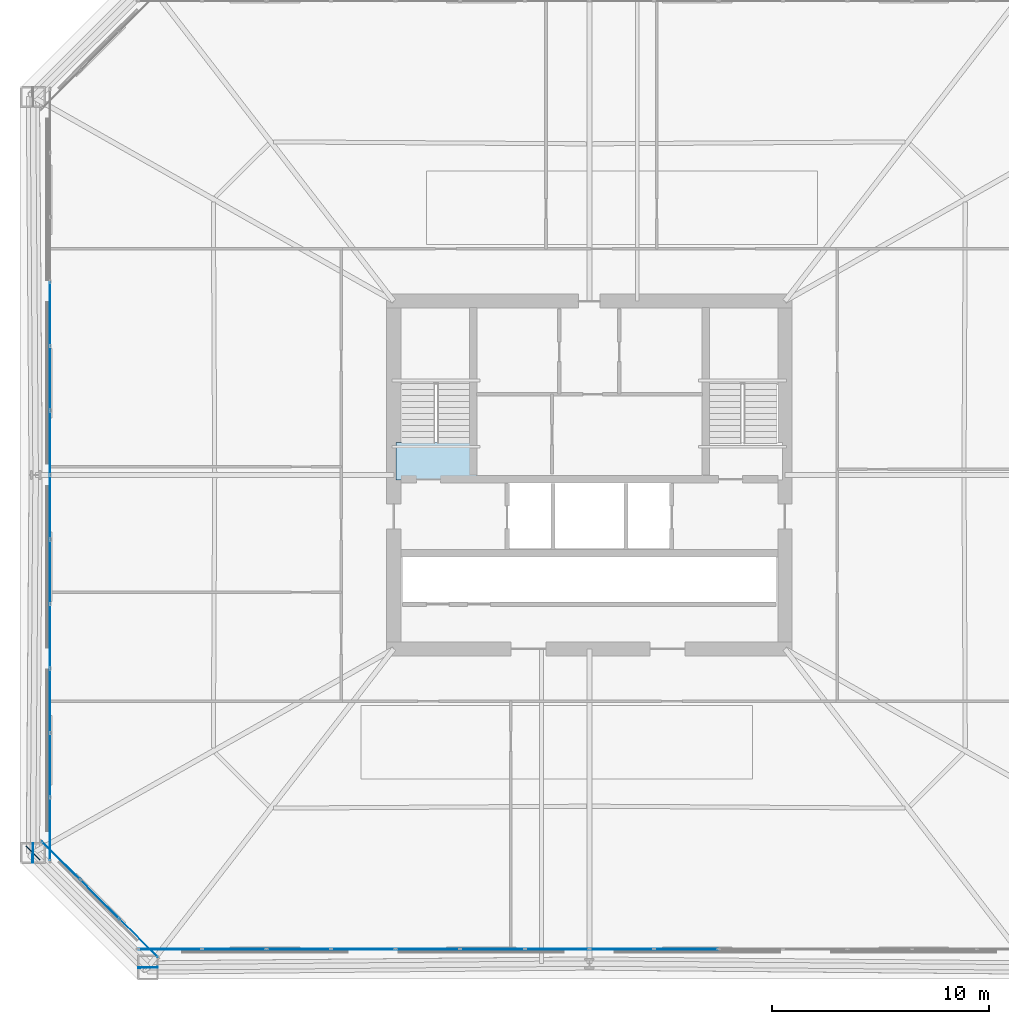
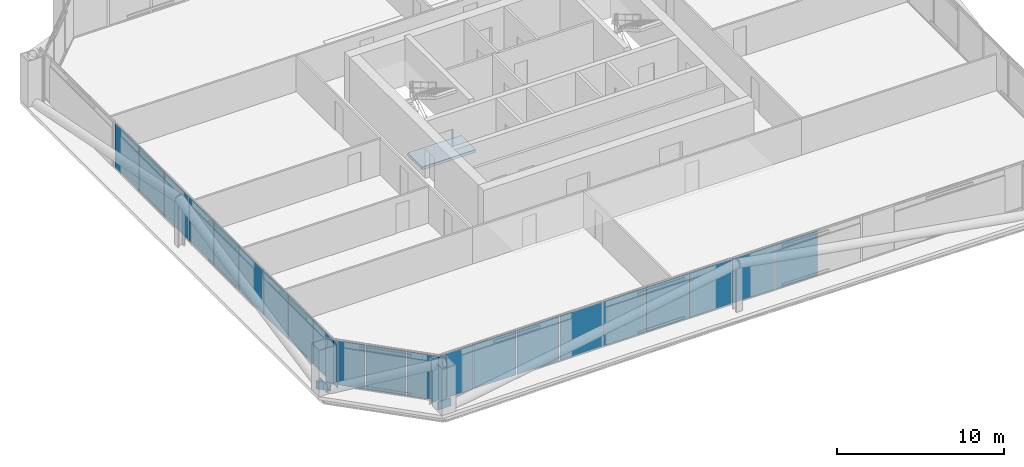
# One storey, part 42 of 50: 24 plates, 1 slab, 4 elements without a shape of their own.
"""IFC4 building model written with IfcOpenShell, lengths in metres."""

from ifc_helpers import new_model, si_unit, direction, frame, origin, origin_2d, place, context, subcontext, project, spatial, polyline, rectangle, outline, extrude, material, layer, layer_set, type_object, element, aggregate, save


model = new_model("IFC4")

# Units and contexts
model_context = context("Model", 3, precision=1e-05, world=origin(), true_north=direction((0.0, 1.0)))
body_context = subcontext(model_context, "Body", "Model", "MODEL_VIEW")
ifc_project = project(units=[si_unit("LENGTHUNIT", "METRE"), si_unit("AREAUNIT", "SQUARE_METRE"), si_unit("VOLUMEUNIT", "CUBIC_METRE"), si_unit("PLANEANGLEUNIT", "RADIAN"), si_unit("MASSUNIT", "GRAM", prefix="KILO")], contexts=[model_context])

# Site, building, storey
site_placement = place(None, origin())
site = spatial("IfcSite", under=ifc_project, at=site_placement, CompositionType="ELEMENT")
building_placement = place(site_placement, origin())
building = spatial("IfcBuilding", under=site, at=building_placement, Name="Caelvoria Tower", CompositionType="ELEMENT")
storey_placement = place(building_placement, frame((0.0, 0.0, 71.199951171875)))
storey = spatial("IfcBuildingStorey", under=building, at=storey_placement, Name="L18", CompositionType="ELEMENT", Elevation=71.199951171875)

# Curtain wall, plates
ifc_material_1 = material(Name="Anodised Bronze Aluminium and Low-E Glass", Category="aluminium")
ifc_layer_1 = layer(ifc_material_1, 0.18505859375, Name="Anodised Bronze Aluminium and Low-E Glass")
ifc_layer_set_1 = layer_set([ifc_layer_1], Name="CW System 2 Lower Tower Bronze Unitised Facade - Anodised Bronze Aluminium and Low-E Glass")
curtain_wall_type = type_object("IfcCurtainWallType", Name="CW System 2 Lower Tower Bronze Unitised Facade", PredefinedType="NOTDEFINED", material=ifc_layer_set_1)
curtain_wall_1_placement = place(storey_placement, origin())
curtain_wall_1 = element("IfcCurtainWall", 1, at=curtain_wall_1_placement, inside=storey, type_object=curtain_wall_type, Name="CW-02 Curtain Wall L18-E0", PredefinedType="NOTDEFINED")
ifc_material_2 = material(Name="Anodised Bronze Insulated Aluminium Panel", Category="aluminium")
ifc_layer_2 = layer(ifc_material_2, 0.031982421875, Name="Anodised Bronze Insulated Aluminium Panel")
ifc_layer_set_2 = layer_set([ifc_layer_2], Name="Insulated Bronze Spandrel Curtain Panel 32 - Anodised Bronze Insulated Aluminium Panel")
plate_type_1 = type_object("IfcPlateType", Name="Insulated Bronze Spandrel Curtain Panel 32", PredefinedType="CURTAIN_PANEL", material=ifc_layer_set_2)
plate_1_placement = place(storey_placement, frame((26.701904296875, 10.179931640625, 0.06494140625), z_axis=(0.0, 0.0, 1.0), x_axis=(1.0, 0.0, 0.0)))
plate_1 = element("IfcPlate", 2, at=plate_1_placement, type_object=plate_type_1, Name="CW-02 panel 1.1", PredefinedType="CURTAIN_PANEL", context=body_context, shape_type="SweptSolid", body=[
    extrude(rectangle(XDim=2.8740234375, YDim=0.031982421875, at=origin_2d()), origin(), (0.0, 0.0, 1.0), 3.22998046875),
])
plate_2_placement = place(storey_placement, frame((29.6572265625, 10.179931640625, 0.06494140625), z_axis=(0.0, 0.0, 1.0), x_axis=(1.0, 0.0, 0.0)))
plate_2 = element("IfcPlate", 3, at=plate_2_placement, type_object=plate_type_1, Name="CW-02 panel 2.1", PredefinedType="CURTAIN_PANEL", context=body_context, shape_type="SweptSolid", body=[
    extrude(rectangle(XDim=2.906494140625, YDim=0.031982421875, at=origin_2d()), origin(), (0.0, 0.0, 1.0), 3.22998046875),
])
plate_3_placement = place(storey_placement, frame((32.628662109375, 10.179931640625, 0.06494140625), z_axis=(0.0, 0.0, 1.0), x_axis=(1.0, 0.0, 0.0)))
plate_3 = element("IfcPlate", 4, at=plate_3_placement, type_object=plate_type_1, Name="CW-02 panel 3.1", PredefinedType="CURTAIN_PANEL", context=body_context, shape_type="SweptSolid", body=[
    extrude(rectangle(XDim=2.906494140625, YDim=0.031982421875, at=origin_2d()), origin(), (0.0, 0.0, 1.0), 3.22998046875),
])
plate_4_placement = place(storey_placement, frame((35.60009765625, 10.179931640625, 0.06494140625), z_axis=(0.0, 0.0, 1.0), x_axis=(1.0, 0.0, 0.0)))
plate_4 = element("IfcPlate", 5, at=plate_4_placement, type_object=plate_type_1, Name="CW-02 panel 4.1", PredefinedType="CURTAIN_PANEL", context=body_context, shape_type="SweptSolid", body=[
    extrude(rectangle(XDim=2.906494140625, YDim=0.031982421875, at=origin_2d()), origin(), (0.0, 0.0, 1.0), 3.22998046875),
])
plate_5_placement = place(storey_placement, frame((38.571533203125, 10.179931640625, 0.06494140625), z_axis=(0.0, 0.0, 1.0), x_axis=(1.0, 0.0, 0.0)))
plate_5 = element("IfcPlate", 6, at=plate_5_placement, type_object=plate_type_1, Name="CW-02 panel 5.1", PredefinedType="CURTAIN_PANEL", context=body_context, shape_type="SweptSolid", body=[
    extrude(rectangle(XDim=2.906494140625, YDim=0.031982421875, at=origin_2d()), origin(), (0.0, 0.0, 1.0), 3.22998046875),
])
plate_6_placement = place(storey_placement, frame((41.54296875, 10.179931640625, 0.06494140625), z_axis=(0.0, 0.0, 1.0), x_axis=(1.0, 0.0, 0.0)))
plate_6 = element("IfcPlate", 7, at=plate_6_placement, type_object=plate_type_1, Name="CW-02 panel 6.1", PredefinedType="CURTAIN_PANEL", context=body_context, shape_type="SweptSolid", body=[
    extrude(rectangle(XDim=2.906494140625, YDim=0.031982421875, at=origin_2d()), origin(), (0.0, 0.0, 1.0), 3.22998046875),
])
plate_7_placement = place(storey_placement, frame((44.514404296875, 10.179931640625, 0.06494140625), z_axis=(0.0, 0.0, 1.0), x_axis=(1.0, 0.0, 0.0)))
plate_7 = element("IfcPlate", 8, at=plate_7_placement, type_object=plate_type_1, Name="CW-02 panel 7.1", PredefinedType="CURTAIN_PANEL", context=body_context, shape_type="SweptSolid", body=[
    extrude(rectangle(XDim=2.906494140625, YDim=0.031982421875, at=origin_2d()), origin(), (0.0, 0.0, 1.0), 3.22998046875),
])
plate_8_placement = place(storey_placement, frame((47.485595703125, 10.179931640625, 0.06494140625), z_axis=(0.0, 0.0, 1.0), x_axis=(1.0, 0.0, 0.0)))
plate_8 = element("IfcPlate", 9, at=plate_8_placement, type_object=plate_type_1, Name="CW-02 panel 8.1", PredefinedType="CURTAIN_PANEL", context=body_context, shape_type="SweptSolid", body=[
    extrude(rectangle(XDim=2.906494140625, YDim=0.031982421875, at=origin_2d()), origin(), (0.0, 0.0, 1.0), 3.22998046875),
])
plate_9_placement = place(storey_placement, frame((50.45703125, 10.179931640625, 0.06494140625), z_axis=(0.0, 0.0, 1.0), x_axis=(1.0, 0.0, 0.0)))
plate_9 = element("IfcPlate", 10, at=plate_9_placement, type_object=plate_type_1, Name="CW-02 panel 9.1", PredefinedType="CURTAIN_PANEL", context=body_context, shape_type="SweptSolid", body=[
    extrude(rectangle(XDim=2.906494140625, YDim=0.031982421875, at=origin_2d()), origin(), (0.0, 0.0, 1.0), 3.22998046875),
])
aggregate(curtain_wall_1, [plate_1, plate_2, plate_3, plate_4, plate_5, plate_6, plate_7, plate_8, plate_9])

curtain_wall_2_placement = place(storey_placement, origin())
curtain_wall_2 = element("IfcCurtainWall", 11, at=curtain_wall_2_placement, inside=storey, type_object=curtain_wall_type, Name="CW-02 Curtain Wall L18-E6", PredefinedType="NOTDEFINED")
plate_10_placement = place(storey_placement, frame((21.179931640625, 39.416748046875, 0.06494140625), z_axis=(0.0, 0.0, 1.0), x_axis=(0.0, -1.0, 0.0)))
plate_10 = element("IfcPlate", 12, at=plate_10_placement, type_object=plate_type_1, Name="CW-02 panel 4.1", PredefinedType="CURTAIN_PANEL", context=body_context, shape_type="SweptSolid", body=[
    extrude(rectangle(XDim=2.901611328125, YDim=0.031982421875, at=origin_2d()), origin(), (0.0, 0.0, 1.0), 3.22998046875),
])
plate_11_placement = place(storey_placement, frame((21.179931640625, 36.449951171875, 0.06494140625), z_axis=(0.0, 0.0, 1.0), x_axis=(0.0, -1.0, 0.0)))
plate_11 = element("IfcPlate", 13, at=plate_11_placement, type_object=plate_type_1, Name="CW-02 panel 5.1", PredefinedType="CURTAIN_PANEL", context=body_context, shape_type="SweptSolid", body=[
    extrude(rectangle(XDim=2.901611328125, YDim=0.031982421875, at=origin_2d()), origin(), (0.0, 0.0, 1.0), 3.22998046875),
])
plate_12_placement = place(storey_placement, frame((21.179931640625, 33.4833984375, 0.06494140625), z_axis=(0.0, 0.0, 1.0), x_axis=(0.0, -1.0, 0.0)))
plate_12 = element("IfcPlate", 14, at=plate_12_placement, type_object=plate_type_1, Name="CW-02 panel 6.1", PredefinedType="CURTAIN_PANEL", context=body_context, shape_type="SweptSolid", body=[
    extrude(rectangle(XDim=2.901611328125, YDim=0.031982421875, at=origin_2d()), origin(), (0.0, 0.0, 1.0), 3.22998046875),
])
plate_13_placement = place(storey_placement, frame((21.179931640625, 30.5166015625, 0.06494140625), z_axis=(0.0, 0.0, 1.0), x_axis=(0.0, -1.0, 0.0)))
plate_13 = element("IfcPlate", 15, at=plate_13_placement, type_object=plate_type_1, Name="CW-02 panel 7.1", PredefinedType="CURTAIN_PANEL", context=body_context, shape_type="SweptSolid", body=[
    extrude(rectangle(XDim=2.901611328125, YDim=0.031982421875, at=origin_2d()), origin(), (0.0, 0.0, 1.0), 3.22998046875),
])
plate_14_placement = place(storey_placement, frame((21.179931640625, 27.550048828125, 0.06494140625), z_axis=(0.0, 0.0, 1.0), x_axis=(0.0, -1.0, 0.0)))
plate_14 = element("IfcPlate", 16, at=plate_14_placement, type_object=plate_type_1, Name="CW-02 panel 8.1", PredefinedType="CURTAIN_PANEL", context=body_context, shape_type="SweptSolid", body=[
    extrude(rectangle(XDim=2.901611328125, YDim=0.031982421875, at=origin_2d()), origin(), (0.0, 0.0, 1.0), 3.22998046875),
])
plate_15_placement = place(storey_placement, frame((21.179931640625, 24.583251953125, 0.06494140625), z_axis=(0.0, 0.0, 1.0), x_axis=(0.0, -1.0, 0.0)))
plate_15 = element("IfcPlate", 17, at=plate_15_placement, type_object=plate_type_1, Name="CW-02 panel 9.1", PredefinedType="CURTAIN_PANEL", context=body_context, shape_type="SweptSolid", body=[
    extrude(rectangle(XDim=2.901611328125, YDim=0.031982421875, at=origin_2d()), origin(), (0.0, 0.0, 1.0), 3.22998046875),
])
plate_16_placement = place(storey_placement, frame((21.179931640625, 21.61669921875, 0.06494140625), z_axis=(0.0, 0.0, 1.0), x_axis=(0.0, -1.0, 0.0)))
plate_16 = element("IfcPlate", 18, at=plate_16_placement, type_object=plate_type_1, Name="CW-02 panel 10.1", PredefinedType="CURTAIN_PANEL", context=body_context, shape_type="SweptSolid", body=[
    extrude(rectangle(XDim=2.901611328125, YDim=0.031982421875, at=origin_2d()), origin(), (0.0, 0.0, 1.0), 3.22998046875),
])
plate_17_placement = place(storey_placement, frame((21.179931640625, 18.64990234375, 0.06494140625), z_axis=(0.0, 0.0, 1.0), x_axis=(0.0, -1.0, 0.0)))
plate_17 = element("IfcPlate", 19, at=plate_17_placement, type_object=plate_type_1, Name="CW-02 panel 11.1", PredefinedType="CURTAIN_PANEL", context=body_context, shape_type="SweptSolid", body=[
    extrude(rectangle(XDim=2.901611328125, YDim=0.031982421875, at=origin_2d()), origin(), (0.0, 0.0, 1.0), 3.22998046875),
])
plate_18_placement = place(storey_placement, frame((21.179931640625, 15.699462890625, 0.06494140625), z_axis=(0.0, 0.0, 1.0), x_axis=(0.0, -1.0, 0.0)))
plate_18 = element("IfcPlate", 20, at=plate_18_placement, type_object=plate_type_1, Name="CW-02 panel 12.1", PredefinedType="CURTAIN_PANEL", context=body_context, shape_type="SweptSolid", body=[
    extrude(rectangle(XDim=2.869140625, YDim=0.031982421875, at=origin_2d()), origin(), (0.0, 0.0, 1.0), 3.22998046875),
])
aggregate(curtain_wall_2, [plate_10, plate_11, plate_12, plate_13, plate_14, plate_15, plate_16, plate_17, plate_18])

curtain_wall_3_placement = place(storey_placement, origin())
curtain_wall_3 = element("IfcCurtainWall", 21, at=curtain_wall_3_placement, inside=storey, type_object=curtain_wall_type, Name="CW-02 Curtain Wall L18-E7", PredefinedType="NOTDEFINED")
plate_19_placement = place(storey_placement, frame((21.687255859375, 14.264404296875, 0.06494140625), z_axis=(0.0, 0.0, 1.0), x_axis=(0.707106781187, -0.707106781187, 0.0)))
plate_19 = element("IfcPlate", 22, at=plate_19_placement, type_object=plate_type_1, Name="CW-02 panel 1.1", PredefinedType="CURTAIN_PANEL", context=body_context, shape_type="SweptSolid", body=[
    extrude(rectangle(XDim=2.447998046875, YDim=0.031982421875, at=origin_2d()), origin(), (0.0, 0.0, 1.0), 3.22998046875),
])
plate_20_placement = place(storey_placement, frame((23.475830078125, 12.475830078125, 0.06494140625), z_axis=(0.0, 0.0, 1.0), x_axis=(0.707106781187, -0.707106781187, 0.0)))
plate_20 = element("IfcPlate", 23, at=plate_20_placement, type_object=plate_type_1, Name="CW-02 panel 2.1", PredefinedType="CURTAIN_PANEL", context=body_context, shape_type="SweptSolid", body=[
    extrude(rectangle(XDim=2.48046875, YDim=0.031982421875, at=origin_2d()), origin(), (0.0, 0.0, 1.0), 3.22998046875),
])
plate_21_placement = place(storey_placement, frame((25.264404296875, 10.687255859375, 0.06494140625), z_axis=(0.0, 0.0, 1.0), x_axis=(0.707106781187, -0.707106781187, 0.0)))
plate_21 = element("IfcPlate", 24, at=plate_21_placement, type_object=plate_type_1, Name="CW-02 panel 3.1", PredefinedType="CURTAIN_PANEL", context=body_context, shape_type="SweptSolid", body=[
    extrude(rectangle(XDim=2.447998046875, YDim=0.031982421875, at=origin_2d()), origin(), (0.0, 0.0, 1.0), 3.22998046875),
])
aggregate(curtain_wall_3, [plate_19, plate_20, plate_21])

# Plates
ifc_material_3 = material(Name="Structural Steel ASTM A572 Gr.50", Category="steel")
ifc_layer_3 = layer(ifc_material_3, 0.0400390625, Name="Structural Steel ASTM A572 Gr.50")
ifc_layer_set_3 = layer_set([ifc_layer_3], Name="Megaframe Node Gusset Plate 900x600x40 - Structural Steel ASTM A572 Gr.50")
plate_type_2 = type_object("IfcPlateType", Name="Megaframe Node Gusset Plate 900x600x40", PredefinedType="USERDEFINED", material=ifc_layer_set_3)
for number, where, z_axis, x_axis, name in (
    (25, (20.3955078125, 14.6044921875, 0.02001953125), (0.0, 0.0, 1.0), (0.708211700313, -0.706000132819, 0.0), "Chamfer Mega Brace Gusset L18 SW"),
    (26, (25.6806640625, 9.336181640625, 0.050048828125), (0.0, 0.0, 1.0), (0.999959053263, 0.009049408655, 0.0), "Megaframe Node Gusset Plate ND-01"),
    (27, (20.3955078125, 14.6044921875, 0.050048828125), (0.0, 0.0, 1.0), (0.007150553009, 0.999974434469, 0.0), "Megaframe Node Gusset Plate ND-01"),
):
    element("IfcPlate", number, at=place(storey_placement, frame(where, z_axis=z_axis, x_axis=x_axis)), inside=storey, type_object=plate_type_2, Name=name, ObjectType="GUSSET_PLATE", PredefinedType="USERDEFINED", context=body_context, shape_type="SweptSolid", body=[
        extrude(rectangle(XDim=0.89990234375, YDim=0.0400390625, at=origin_2d()), origin(), (0.0, 0.0, 1.0), 0.60009765625),
    ])

# Stair, slab
ifc_material_4 = material(Name="Concrete C40/50", Category="concrete")
stair_type = type_object("IfcStairType", Name="Core Smokeproof Dogleg Stair Concrete C40/50", PredefinedType="HALF_TURN_STAIR", material=ifc_material_4)
stair_placement = place(storey_placement, origin())
stair = element("IfcStair", 28, at=stair_placement, inside=storey, type_object=stair_type, Name="ST-01 Smokeproof Exit Stair L18", PredefinedType="HALF_TURN_STAIR")
ifc_layer_4 = layer(ifc_material_4, 0.199951171875, Name="Concrete C40/50")
ifc_layer_set_4 = layer_set([ifc_layer_4], Name="Stair Half and Floor Landing Slab 200 Concrete C40/50 - Concrete C40/50")
slab_type = type_object("IfcSlabType", Name="Stair Half and Floor Landing Slab 200 Concrete C40/50", PredefinedType="LANDING", material=ifc_layer_set_4)
slab_placement = place(storey_placement, frame((0.0, 0.0, -0.199951171875)))
slab = element("IfcSlab", 29, at=slab_placement, type_object=slab_type, Name="ST-01 landing 1", PredefinedType="LANDING", context=body_context, shape_type="SweptSolid", body=[
    extrude(outline(polyline([(37.10009765625, 31.77001953125), (40.800048828125, 31.77001953125), (40.800048828125, 33.5), (37.10009765625, 33.5), (37.10009765625, 31.77001953125)])), origin(), (0.0, 0.0, 1.0), 0.199951171875),
])
aggregate(stair, [slab])

save(model, "model.ifc")
